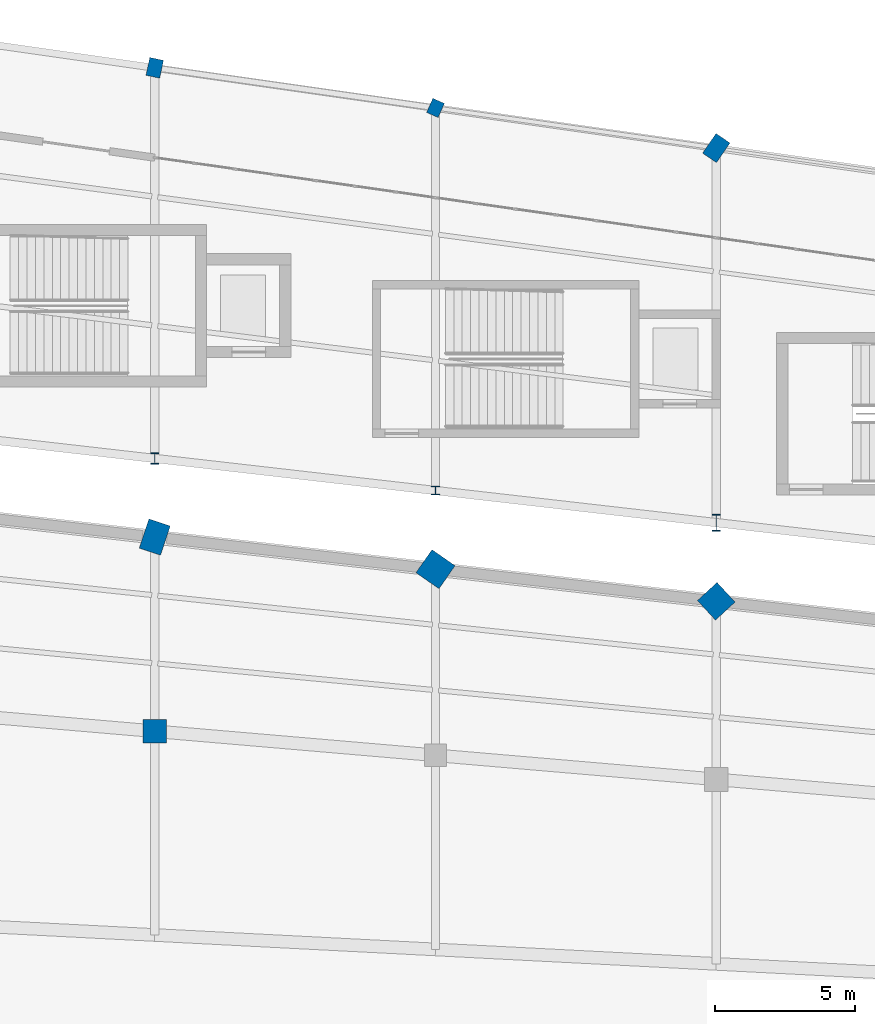
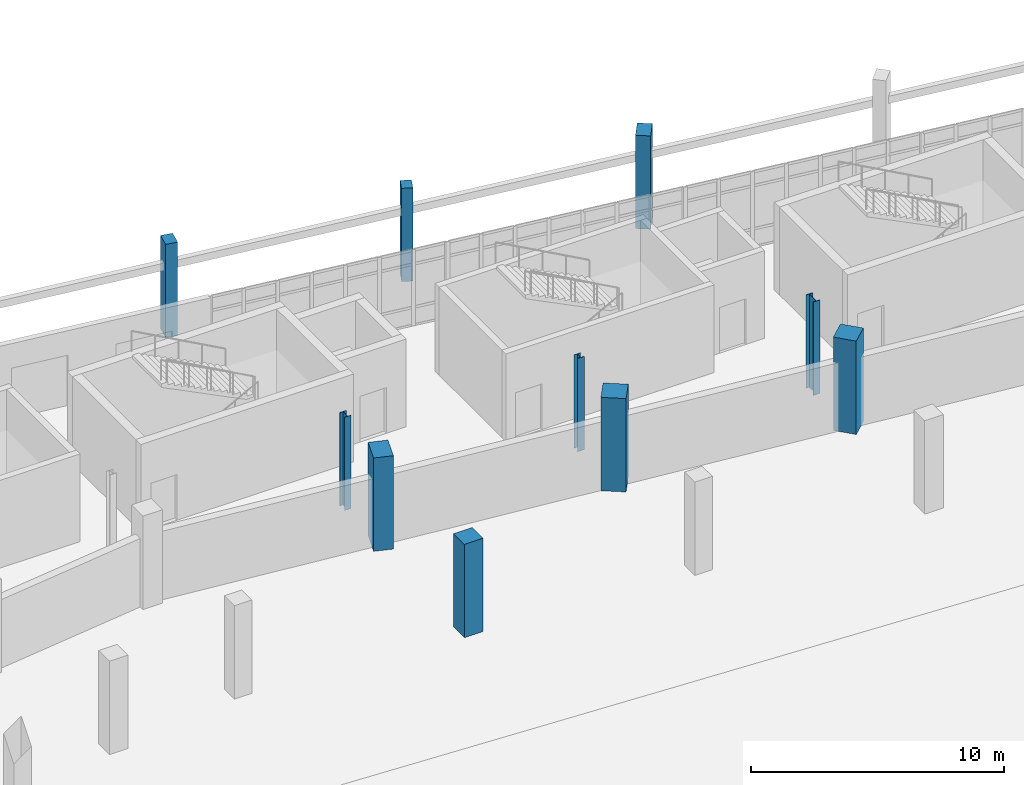
# One storey, part 17 of 122: 10 columns.
"""IFC4 building model written with IfcOpenShell, lengths in metres."""

from ifc_helpers import new_model, si_unit, direction, frame, origin, origin_2d, place, context, subcontext, project, spatial, rectangle, i_section, extrude, material, material_profile, profile_set, type_object, element, save


model = new_model("IFC4")

# Units and contexts
model_context = context("Model", 3, precision=1e-05, world=origin(), true_north=direction((0.0, 1.0)))
body_context = subcontext(model_context, "Body", "Model", "MODEL_VIEW")
ifc_project = project(units=[si_unit("LENGTHUNIT", "METRE"), si_unit("AREAUNIT", "SQUARE_METRE"), si_unit("VOLUMEUNIT", "CUBIC_METRE"), si_unit("PLANEANGLEUNIT", "RADIAN"), si_unit("MASSUNIT", "GRAM", prefix="KILO")], contexts=[model_context])

# Site, building, storey
site_placement = place(None, origin())
site = spatial("IfcSite", under=ifc_project, at=site_placement, CompositionType="ELEMENT")
building_placement = place(site_placement, origin())
building = spatial("IfcBuilding", under=site, at=building_placement, Name="Sohan Crest Arena", CompositionType="ELEMENT")
storey_placement = place(building_placement, origin())
storey = spatial("IfcBuildingStorey", under=building, at=storey_placement, Name="L00", CompositionType="ELEMENT", Elevation=0.0)

# Columns
ifc_material_1 = material(Name="Concrete C40/50", Category="concrete")
ifc_material_profile_1 = material_profile(ifc_material_1, rectangle(XDim=0.85009765625, YDim=0.85009765625, at=origin_2d()), Name="RC 850x850")
ifc_profile_set_1 = profile_set([ifc_material_profile_1], Name="Concrete C40/50")
column_type_1 = type_object("IfcColumnType", Name="STR-COL-C06", PredefinedType="COLUMN", material=ifc_profile_set_1)
column_1_placement = place(storey_placement, frame((108.0, 100.943115234375, 0.0), z_axis=(0.0, 0.0, 1.0), x_axis=(1.0, 0.0, 0.0)))
element("IfcColumn", 1, at=column_1_placement, inside=storey, type_object=column_type_1, Name="Structural column COL-V1M-34-L00", PredefinedType="COLUMN", context=body_context, shape_type="SweptSolid", body=[
    extrude(rectangle(XDim=0.85009765625, YDim=0.85009765625, at=origin_2d()), origin(), (0.0, 0.0, 1.0), 4.5),
])
ifc_material_profile_2 = material_profile(ifc_material_1, rectangle(XDim=0.949951171875, YDim=0.949951171875, at=origin_2d()), Name="RC 950x950")
ifc_profile_set_2 = profile_set([ifc_material_profile_2], Name="Concrete C40/50")
column_type_2 = type_object("IfcColumnType", Name="STR-COL-C08", PredefinedType="COLUMN", material=ifc_profile_set_2)
column_2_placement = place(storey_placement, frame((128.0, 105.571044921875, 0.0), z_axis=(0.0, 0.0, 1.0), x_axis=(0.73609708712, 0.676875969683, 0.0)))
element("IfcColumn", 2, at=column_2_placement, inside=storey, type_object=column_type_2, Name="Structural column COL-V1R-32-L00", PredefinedType="COLUMN", context=body_context, shape_type="SweptSolid", body=[
    extrude(rectangle(XDim=0.949951171875, YDim=0.949951171875, at=origin_2d()), origin(), (0.0, 0.0, 1.0), 4.5),
])
ifc_material_profile_3 = material_profile(ifc_material_1, rectangle(XDim=1.0, YDim=1.0, at=origin_2d()), Name="RC 1000x1000")
ifc_profile_set_3 = profile_set([ifc_material_profile_3], Name="Concrete C40/50")
column_type_3 = type_object("IfcColumnType", Name="STR-COL-C09", PredefinedType="COLUMN", material=ifc_profile_set_3)
column_3_placement = place(storey_placement, frame((118.0, 106.714111328125, 0.0), z_axis=(0.0, 0.0, 1.0), x_axis=(0.572145873446, 0.820151875874, 0.0)))
element("IfcColumn", 3, at=column_3_placement, inside=storey, type_object=column_type_3, Name="Structural column COL-V1R-33-L00", PredefinedType="COLUMN", context=body_context, shape_type="SweptSolid", body=[
    extrude(rectangle(XDim=1.0, YDim=1.0, at=origin_2d()), origin(), (0.0, 0.0, 1.0), 4.5),
])
ifc_material_profile_4 = material_profile(ifc_material_1, rectangle(XDim=1.10009765625, YDim=0.800048828125, at=origin_2d()), Name="RC 1100x800")
ifc_profile_set_4 = profile_set([ifc_material_profile_4], Name="Concrete C40/50")
column_type_4 = type_object("IfcColumnType", Name="STR-COL-C10", PredefinedType="COLUMN", material=ifc_profile_set_4)
column_4_placement = place(storey_placement, frame((108.0, 107.85693359375, 0.0), z_axis=(0.0, 0.0, 1.0), x_axis=(0.317304656405, 0.948323655206, 0.0)))
element("IfcColumn", 4, at=column_4_placement, inside=storey, type_object=column_type_4, Name="Structural column COL-V1R-34-L00", PredefinedType="COLUMN", context=body_context, shape_type="SweptSolid", body=[
    extrude(rectangle(XDim=1.10009765625, YDim=0.800048828125, at=origin_2d()), origin(), (0.0, 0.0, 1.0), 4.5),
])
ifc_material_2 = material(Name="Steel S355", Category="steel")
ifc_material_profile_5 = material_profile(ifc_material_2, i_section(OverallWidth=0.300048828125, OverallDepth=0.300048828125, WebThickness=0.010986328125, FlangeThickness=0.01904296875, at=origin_2d()), Name="HEB 300")
ifc_profile_set_5 = profile_set([ifc_material_profile_5], Name="Steel S355")
column_type_5 = type_object("IfcColumnType", Name="STR-COL-C17", PredefinedType="COLUMN", material=ifc_profile_set_5)
column_5_placement = place(storey_placement, frame((118.0, 109.513916015625, 0.0), z_axis=(0.0, 0.0, 1.0), x_axis=(1.0, 0.0, 0.0)))
element("IfcColumn", 5, at=column_5_placement, inside=storey, type_object=column_type_5, Name="Structural column COL-V2I-33-L00", PredefinedType="COLUMN", context=body_context, shape_type="SweptSolid", body=[
    extrude(i_section(OverallWidth=0.300048828125, OverallDepth=0.300048828125, WebThickness=0.010986328125, FlangeThickness=0.01904296875, at=origin_2d()), origin(), (0.0, 0.0, 1.0), 4.5),
])
ifc_material_profile_6 = material_profile(ifc_material_2, i_section(OverallWidth=0.300048828125, OverallDepth=0.39990234375, WebThickness=0.013427734375, FlangeThickness=0.02392578125, at=origin_2d()), Name="HEB 400")
ifc_profile_set_6 = profile_set([ifc_material_profile_6], Name="Steel S355")
column_type_6 = type_object("IfcColumnType", Name="STR-COL-C18", PredefinedType="COLUMN", material=ifc_profile_set_6)
column_6_placement = place(storey_placement, frame((108.0, 110.656982421875, 0.0), z_axis=(0.0, 0.0, 1.0), x_axis=(1.0, 0.0, 0.0)))
element("IfcColumn", 6, at=column_6_placement, inside=storey, type_object=column_type_6, Name="Structural column COL-V2I-34-L00", PredefinedType="COLUMN", context=body_context, shape_type="SweptSolid", body=[
    extrude(i_section(OverallWidth=0.300048828125, OverallDepth=0.39990234375, WebThickness=0.013427734375, FlangeThickness=0.02392578125, at=origin_2d()), origin(), (0.0, 0.0, 1.0), 4.5),
])
ifc_material_profile_7 = material_profile(ifc_material_2, i_section(OverallWidth=0.300048828125, OverallDepth=0.60009765625, WebThickness=0.015380859375, FlangeThickness=0.030029296875, at=origin_2d()), Name="HEB 600")
ifc_profile_set_7 = profile_set([ifc_material_profile_7], Name="Steel S355")
column_type_7 = type_object("IfcColumnType", Name="STR-COL-C20", PredefinedType="COLUMN", material=ifc_profile_set_7)
column_7_placement = place(storey_placement, frame((128.0, 108.37109375, 0.0), z_axis=(0.0, 0.0, 1.0), x_axis=(1.0, 0.0, 0.0)))
element("IfcColumn", 7, at=column_7_placement, inside=storey, type_object=column_type_7, Name="Structural column COL-V2I-32-L00", PredefinedType="COLUMN", context=body_context, shape_type="SweptSolid", body=[
    extrude(i_section(OverallWidth=0.300048828125, OverallDepth=0.60009765625, WebThickness=0.015380859375, FlangeThickness=0.030029296875, at=origin_2d()), origin(), (0.0, 0.0, 1.0), 4.5),
])
ifc_material_profile_8 = material_profile(ifc_material_1, rectangle(XDim=0.550048828125, YDim=0.449951171875, at=origin_2d()), Name="RC 550x450")
ifc_profile_set_8 = profile_set([ifc_material_profile_8], Name="Concrete C40/50")
column_type_8 = type_object("IfcColumnType", Name="STR-COL-PC01", PredefinedType="PILASTER", material=ifc_profile_set_8)
column_8_placement = place(storey_placement, frame((118.0, 123.14306640625, 0.0), z_axis=(0.0, 0.0, 1.0), x_axis=(0.40514158678, 0.914253955234, 0.0)))
element("IfcColumn", 8, at=column_8_placement, inside=storey, type_object=column_type_8, Name="Structural column COL-V2O-33-L00", PredefinedType="PILASTER", context=body_context, shape_type="SweptSolid", body=[
    extrude(rectangle(XDim=0.550048828125, YDim=0.449951171875, at=origin_2d()), origin(), (0.0, 0.0, 1.0), 4.5),
])
ifc_material_profile_9 = material_profile(ifc_material_1, rectangle(XDim=0.64990234375, YDim=0.5, at=origin_2d()), Name="RC 650x500")
ifc_profile_set_9 = profile_set([ifc_material_profile_9], Name="Concrete C40/50")
column_type_9 = type_object("IfcColumnType", Name="STR-COL-PC02", PredefinedType="PILASTER", material=ifc_profile_set_9)
column_9_placement = place(storey_placement, frame((108.0, 124.571044921875, 0.0), z_axis=(0.0, 0.0, 1.0), x_axis=(0.209618562904, 0.977783236759, 0.0)))
element("IfcColumn", 9, at=column_9_placement, inside=storey, type_object=column_type_9, Name="Structural column COL-V2O-34-L00", PredefinedType="PILASTER", context=body_context, shape_type="SweptSolid", body=[
    extrude(rectangle(XDim=0.64990234375, YDim=0.5, at=origin_2d()), origin(), (0.0, 0.0, 1.0), 4.5),
])
ifc_material_profile_10 = material_profile(ifc_material_1, rectangle(XDim=0.85009765625, YDim=0.60009765625, at=origin_2d()), Name="RC 850x600")
ifc_profile_set_10 = profile_set([ifc_material_profile_10], Name="Concrete C40/50")
column_type_10 = type_object("IfcColumnType", Name="STR-COL-PC04", PredefinedType="PILASTER", material=ifc_profile_set_10)
column_10_placement = place(storey_placement, frame((128.0, 121.714111328125, 0.0), z_axis=(0.0, 0.0, 1.0), x_axis=(0.566406236925, 0.824126188622, 0.0)))
element("IfcColumn", 10, at=column_10_placement, inside=storey, type_object=column_type_10, Name="Structural column COL-V2O-32-L00", PredefinedType="PILASTER", context=body_context, shape_type="SweptSolid", body=[
    extrude(rectangle(XDim=0.85009765625, YDim=0.60009765625, at=origin_2d()), origin(), (0.0, 0.0, 1.0), 4.5),
])

save(model, "model.ifc")
